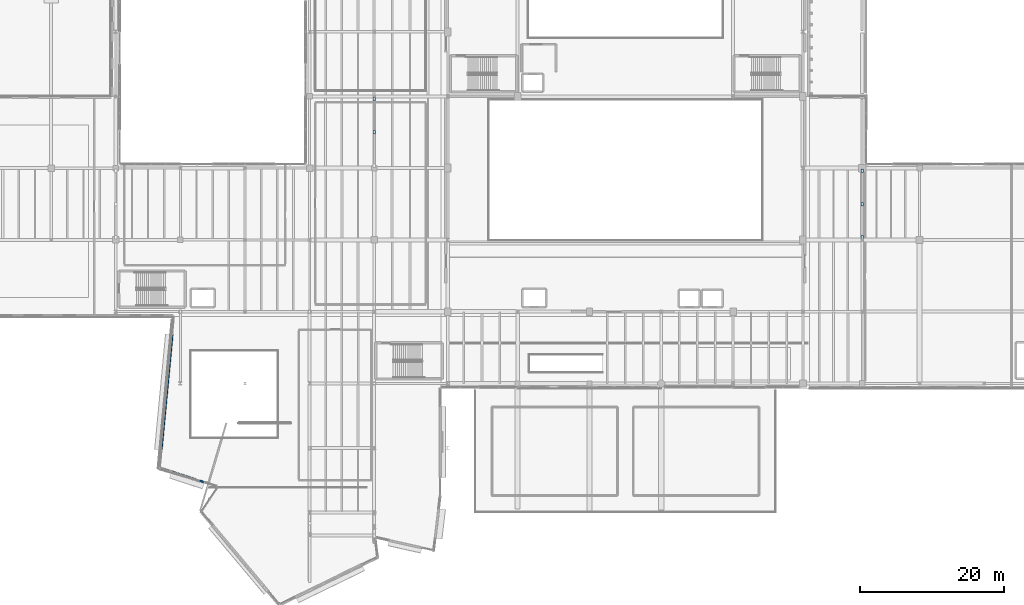
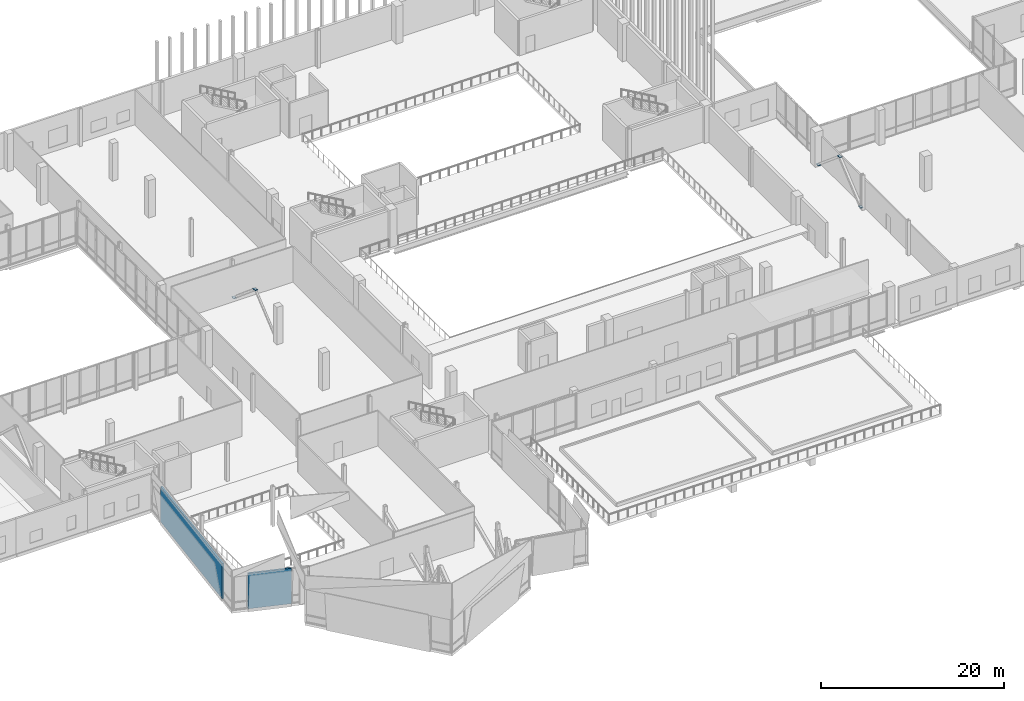
# One storey, part 40 of 60: 5 plates, 2 walls.
"""IFC4 building model written with IfcOpenShell, lengths in metres."""

from ifc_helpers import new_model, si_unit, direction, frame, frame_2d, origin, origin_2d, place, context, subcontext, project, spatial, rectangle, extrude, material, layer, layer_set, type_object, element, save


model = new_model("IFC4")

# Units and contexts
model_context = context("Model", 3, precision=1e-05, world=origin(), true_north=direction((0.0, 1.0)))
body_context = subcontext(model_context, "Body", "Model", "MODEL_VIEW")
ifc_project = project(units=[si_unit("LENGTHUNIT", "METRE"), si_unit("AREAUNIT", "SQUARE_METRE"), si_unit("VOLUMEUNIT", "CUBIC_METRE"), si_unit("PLANEANGLEUNIT", "RADIAN"), si_unit("MASSUNIT", "GRAM", prefix="KILO")], contexts=[model_context])

# Site, building, storey
site_placement = place(None, origin())
site = spatial("IfcSite", under=ifc_project, at=site_placement, CompositionType="ELEMENT")
building_placement = place(site_placement, origin())
building = spatial("IfcBuilding", under=site, at=building_placement, Name="Trimount Lyric Opera House", CompositionType="ELEMENT")
storey_placement = place(building_placement, frame((0.0, 0.0, 15.0)))
storey = spatial("IfcBuildingStorey", under=building, at=storey_placement, Name="L03", CompositionType="ELEMENT", Elevation=15.0)

# Plates
ifc_material_1 = material(Name="Steel ASTM A572 Grade 50", Category="steel")
ifc_layer_1 = layer(ifc_material_1, 0.02490234375)
ifc_layer_set_1 = layer_set([ifc_layer_1], Name="KN-02")
plate_type = type_object("IfcPlateType", Name="KN-02", PredefinedType="USERDEFINED", material=ifc_layer_set_1)
for number, where, z_axis, x_axis, name in (
    (1, (54.0, 79.0, 4.03759765625), (0.0, 0.0, 1.0), (0.0, 1.0, 0.0), "L03 brace BRC-BF-2-L03-L1 end gusset plate B"),
    (2, (54.0, 83.64990234375, 0.137451171875), (0.0, 0.0, 1.0), (0.0, -1.0, 0.0), "L03 brace BRC-BF-2-L03-L2 end gusset plate A"),
    (3, (122.0, 64.35009765625, 0.137451171875), (0.0, 0.0, 1.0), (0.0, 1.0, 0.0), "L03 brace BRC-BF-3-L03-L1 end gusset plate A"),
    (4, (122.0, 69.0, 4.03759765625), (0.0, 0.0, 1.0), (0.0, 1.0, 0.0), "L03 brace BRC-BF-3-L03-L1 end gusset plate B"),
    (5, (122.0, 73.64990234375, 0.137451171875), (0.0, 0.0, 1.0), (0.0, -1.0, 0.0), "L03 brace BRC-BF-3-L03-L2 end gusset plate A"),
):
    element("IfcPlate", number, at=place(storey_placement, frame(where, z_axis=z_axis, x_axis=x_axis)), inside=storey, type_object=plate_type, Name=name, ObjectType="GUSSET_PLATE", PredefinedType="USERDEFINED", context=body_context, shape_type="SweptSolid", body=[
        extrude(rectangle(XDim=0.47998046875, YDim=0.340087890625, at=origin_2d()), origin(), (0.0, 0.0, 1.0), 0.02490234375),
    ])

# Walls
ifc_material_2 = material(Name="Concrete C35/45", Category="concrete")
ifc_layer_2 = layer(ifc_material_2, 0.219970703125)
ifc_layer_set_2 = layer_set([ifc_layer_2], Name="WL-SW220")
wall_type = type_object("IfcWallType", Name="WL-SW220", PredefinedType="SOLIDWALL", material=ifc_layer_set_2)
wall_1_placement = place(storey_placement, frame((24.34814453125, 34.708251953125, 0.0), z_axis=(0.0, 0.0, 1.0), x_axis=(0.094272766264, 0.995546405519, 0.0)))
element("IfcWall", 6, at=wall_1_placement, inside=storey, type_object=wall_type, Name="L03 broken-crystal backup wall 240", PredefinedType="SOLIDWALL", context=body_context, shape_type="SweptSolid", body=[
    extrude(rectangle(XDim=16.15478515625, YDim=0.219970703125, at=frame_2d((8.077392578125, 0.0))), origin(), (0.0, 0.0, 1.0), 4.719970703125),
])
wall_2_placement = place(storey_placement, frame((30.37939453125, 30.2197265625, 0.0), z_axis=(0.0, 0.0, 1.0), x_axis=(-0.95003900153, 0.312131215311, 0.0)))
element("IfcWall", 7, at=wall_2_placement, inside=storey, type_object=wall_type, Name="L03 broken-crystal backup wall 287", PredefinedType="SOLIDWALL", context=body_context, shape_type="SweptSolid", body=[
    extrude(rectangle(XDim=4.8486328125, YDim=0.219970703125, at=frame_2d((2.42431640625, 0.0))), origin(), (0.0, 0.0, 1.0), 4.719970703125),
])

save(model, "model.ifc")
